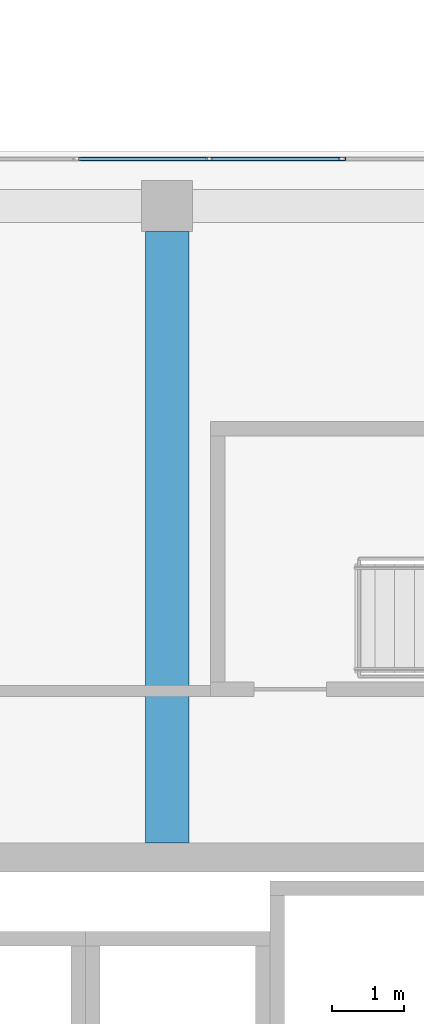
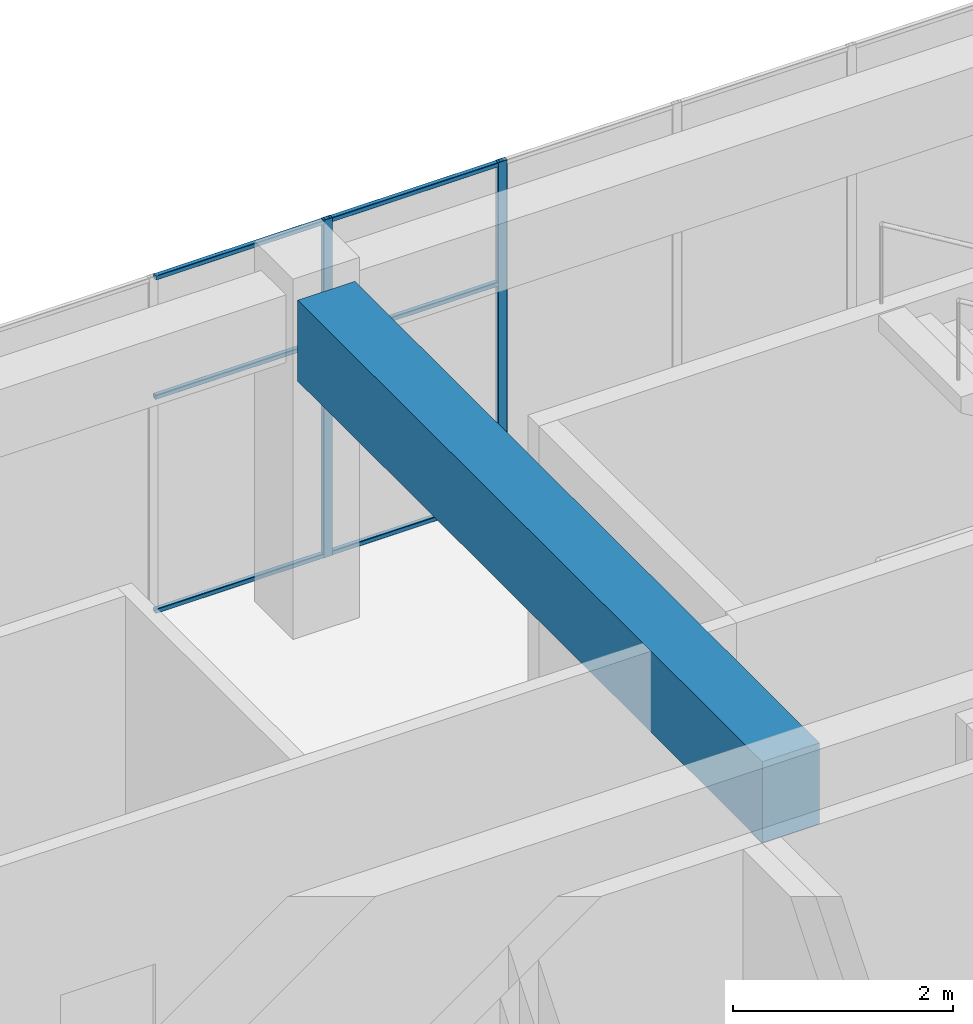
# One storey, part 31 of 43: 8 members, 1 beam, 1 element without a shape of its own.
"""IFC4 building model written with IfcOpenShell, lengths in metres."""

from ifc_helpers import new_model, si_unit, direction, frame, origin, origin_2d, place, context, subcontext, project, spatial, rectangle, hollow_rectangle, extrude, material, layer, layer_set, material_profile, profile_set, type_object, element, aggregate, save


model = new_model("IFC4")

# Units and contexts
model_context = context("Model", 3, precision=1e-05, world=origin(), true_north=direction((0.0, 1.0)))
body_context = subcontext(model_context, "Body", "Model", "MODEL_VIEW")
ifc_project = project(units=[si_unit("LENGTHUNIT", "METRE"), si_unit("AREAUNIT", "SQUARE_METRE"), si_unit("VOLUMEUNIT", "CUBIC_METRE"), si_unit("PLANEANGLEUNIT", "RADIAN"), si_unit("MASSUNIT", "GRAM", prefix="KILO")], contexts=[model_context])

# Site, building, storey
site_placement = place(None, origin())
site = spatial("IfcSite", under=ifc_project, at=site_placement, CompositionType="ELEMENT")
building_placement = place(site_placement, origin())
building = spatial("IfcBuilding", under=site, at=building_placement, Name="Tuart Plaza Theatre", CompositionType="ELEMENT")
storey_placement = place(building_placement, frame((0.0, 0.0, 33.5)))
storey = spatial("IfcBuildingStorey", under=building, at=storey_placement, Name="L08", CompositionType="ELEMENT", Elevation=33.5)

# Beam
ifc_material_1 = material(Name="Concrete N40 (40 MPa)", Category="concrete")
ifc_material_profile_1 = material_profile(ifc_material_1, rectangle(XDim=0.60009765625, YDim=0.89990234375, at=origin_2d()), Name="BEAM 600x900 Concrete N40 (40 MPa)")
ifc_profile_set_1 = profile_set([ifc_material_profile_1], Name="Concrete N40 (40 MPa)")
beam_type = type_object("IfcBeamType", Name="BEAM 600x900 Concrete N40 (40 MPa)", PredefinedType="BEAM", material=ifc_profile_set_1)
beam_placement = place(storey_placement, frame((132.0, 83.199951171875, 3.300048828125), z_axis=(0.0, 1.0, 0.0), x_axis=(-1.0, 0.0, 0.0)))
element("IfcBeam", 1, at=beam_placement, inside=storey, type_object=beam_type, Name="RB270", PredefinedType="BEAM", context=body_context, shape_type="SweptSolid", body=[
    extrude(rectangle(XDim=0.60009765625, YDim=0.89990234375, at=origin_2d()), origin(), (0.0, 0.0, 1.0), 8.449951171875),
])

# Curtain wall, members
ifc_material_2 = material(Name="Aluminium and glass", Category="aluminium")
ifc_layer = layer(ifc_material_2, 0.10009765625)
ifc_layer_set = layer_set([ifc_layer], Name="CURTAIN WALL 1800 module")
curtain_wall_type = type_object("IfcCurtainWallType", Name="CURTAIN WALL 1800 module", PredefinedType="NOTDEFINED", material=ifc_layer_set)
curtain_wall_placement = place(storey_placement, origin())
curtain_wall = element("IfcCurtainWall", 2, at=curtain_wall_placement, inside=storey, type_object=curtain_wall_type, Name="CW95", PredefinedType="NOTDEFINED")
ifc_material_3 = material(Name="Aluminium 6063-T5", Category="aluminium")
ifc_material_profile_2 = material_profile(ifc_material_3, hollow_rectangle(XDim=0.050048828125, YDim=0.10009765625, WallThickness=0.00390625, InnerFilletRadius=0.00390625, OuterFilletRadius=0.008056640625, at=origin_2d()), Name="RHS 100x50x4")
ifc_profile_set_2 = profile_set([ifc_material_profile_2], Name="Aluminium 6063-T5")
member_type_1 = type_object("IfcMemberType", Name="MULLION RHS 100x50x4", PredefinedType="MULLION", material=ifc_profile_set_2)
member_1_placement = place(storey_placement, frame((134.416748046875, 92.64990234375, 0.0), z_axis=(0.0, 0.0, 1.0), x_axis=(0.0, -1.0, 0.0)))
member_1 = element("IfcMember", 3, at=member_1_placement, type_object=member_type_1, Name="CW95 mullion 5", PredefinedType="MULLION", context=body_context, shape_type="SweptSolid", body=[
    extrude(hollow_rectangle(XDim=0.050048828125, YDim=0.10009765625, WallThickness=0.00390625, InnerFilletRadius=0.00390625, OuterFilletRadius=0.008056640625, at=origin_2d()), origin(), (0.0, 0.0, 1.0), 3.75),
])
member_2_placement = place(storey_placement, frame((132.583251953125, 92.64990234375, 0.0), z_axis=(0.0, 0.0, 1.0), x_axis=(0.0, -1.0, 0.0)))
member_2 = element("IfcMember", 4, at=member_2_placement, type_object=member_type_1, Name="CW95 mullion 6", PredefinedType="MULLION", context=body_context, shape_type="SweptSolid", body=[
    extrude(hollow_rectangle(XDim=0.050048828125, YDim=0.10009765625, WallThickness=0.00390625, InnerFilletRadius=0.00390625, OuterFilletRadius=0.008056640625, at=origin_2d()), origin(), (0.0, 0.0, 1.0), 3.75),
])
ifc_material_4 = material(Name="Aluminium 6063-T5", Category="aluminium")
ifc_material_profile_3 = material_profile(ifc_material_4, hollow_rectangle(XDim=0.050048828125, YDim=0.050048828125, WallThickness=0.00390625, InnerFilletRadius=0.00390625, OuterFilletRadius=0.008056640625, at=origin_2d()), Name="RHS 50x50x4")
ifc_profile_set_3 = profile_set([ifc_material_profile_3], Name="Aluminium 6063-T5")
member_type_2 = type_object("IfcMemberType", Name="TRANSOM RHS 50x50x4", PredefinedType="USERDEFINED", material=ifc_profile_set_3)
member_3_placement = place(storey_placement, frame((134.3916015625, 92.64990234375, 0.02490234375), z_axis=(-1.0, 0.0, 0.0), x_axis=(0.0, -1.0, 0.0)))
member_3 = element("IfcMember", 5, at=member_3_placement, type_object=member_type_2, Name="CW95 transom 5.1", ObjectType="TRANSOM", PredefinedType="USERDEFINED", context=body_context, shape_type="SweptSolid", body=[
    extrude(hollow_rectangle(XDim=0.050048828125, YDim=0.050048828125, WallThickness=0.00390625, InnerFilletRadius=0.00390625, OuterFilletRadius=0.008056640625, at=origin_2d()), origin(), (0.0, 0.0, 1.0), 1.783203125),
])
member_4_placement = place(storey_placement, frame((134.3916015625, 92.64990234375, 2.39990234375), z_axis=(-1.0, 0.0, 0.0), x_axis=(0.0, -1.0, 0.0)))
member_4 = element("IfcMember", 6, at=member_4_placement, type_object=member_type_2, Name="CW95 transom 5.2", ObjectType="TRANSOM", PredefinedType="USERDEFINED", context=body_context, shape_type="SweptSolid", body=[
    extrude(hollow_rectangle(XDim=0.050048828125, YDim=0.050048828125, WallThickness=0.00390625, InnerFilletRadius=0.00390625, OuterFilletRadius=0.008056640625, at=origin_2d()), origin(), (0.0, 0.0, 1.0), 1.783203125),
])
member_5_placement = place(storey_placement, frame((134.3916015625, 92.64990234375, 3.72509765625), z_axis=(-1.0, 0.0, 0.0), x_axis=(0.0, -1.0, 0.0)))
member_5 = element("IfcMember", 7, at=member_5_placement, type_object=member_type_2, Name="CW95 transom 5.3", ObjectType="TRANSOM", PredefinedType="USERDEFINED", context=body_context, shape_type="SweptSolid", body=[
    extrude(hollow_rectangle(XDim=0.050048828125, YDim=0.050048828125, WallThickness=0.00390625, InnerFilletRadius=0.00390625, OuterFilletRadius=0.008056640625, at=origin_2d()), origin(), (0.0, 0.0, 1.0), 1.783203125),
])
member_6_placement = place(storey_placement, frame((132.558349609375, 92.64990234375, 0.02490234375), z_axis=(-1.0, 0.0, 0.0), x_axis=(0.0, -1.0, 0.0)))
member_6 = element("IfcMember", 8, at=member_6_placement, type_object=member_type_2, Name="CW95 transom 6.1", ObjectType="TRANSOM", PredefinedType="USERDEFINED", context=body_context, shape_type="SweptSolid", body=[
    extrude(hollow_rectangle(XDim=0.050048828125, YDim=0.050048828125, WallThickness=0.00390625, InnerFilletRadius=0.00390625, OuterFilletRadius=0.008056640625, at=origin_2d()), origin(), (0.0, 0.0, 1.0), 1.783447265625),
])
member_7_placement = place(storey_placement, frame((132.558349609375, 92.64990234375, 2.39990234375), z_axis=(-1.0, 0.0, 0.0), x_axis=(0.0, -1.0, 0.0)))
member_7 = element("IfcMember", 9, at=member_7_placement, type_object=member_type_2, Name="CW95 transom 6.2", ObjectType="TRANSOM", PredefinedType="USERDEFINED", context=body_context, shape_type="SweptSolid", body=[
    extrude(hollow_rectangle(XDim=0.050048828125, YDim=0.050048828125, WallThickness=0.00390625, InnerFilletRadius=0.00390625, OuterFilletRadius=0.008056640625, at=origin_2d()), origin(), (0.0, 0.0, 1.0), 1.783447265625),
])
member_8_placement = place(storey_placement, frame((132.558349609375, 92.64990234375, 3.72509765625), z_axis=(-1.0, 0.0, 0.0), x_axis=(0.0, -1.0, 0.0)))
member_8 = element("IfcMember", 10, at=member_8_placement, type_object=member_type_2, Name="CW95 transom 6.3", ObjectType="TRANSOM", PredefinedType="USERDEFINED", context=body_context, shape_type="SweptSolid", body=[
    extrude(hollow_rectangle(XDim=0.050048828125, YDim=0.050048828125, WallThickness=0.00390625, InnerFilletRadius=0.00390625, OuterFilletRadius=0.008056640625, at=origin_2d()), origin(), (0.0, 0.0, 1.0), 1.783447265625),
])
aggregate(curtain_wall, [member_1, member_2, member_3, member_4, member_5, member_6, member_7, member_8])

save(model, "model.ifc")
